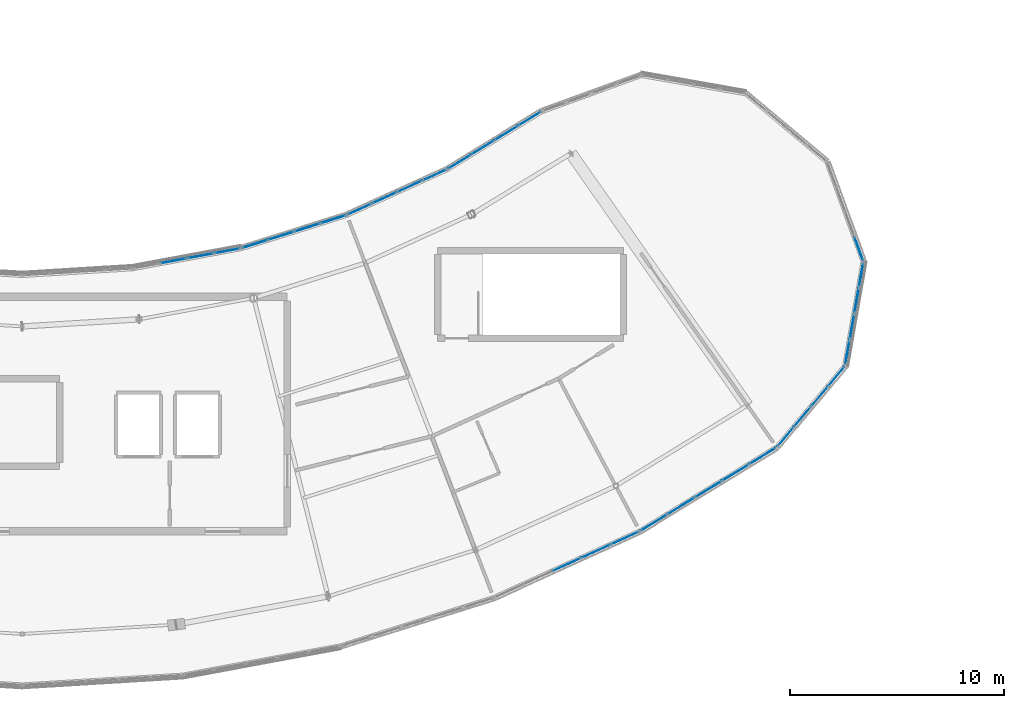
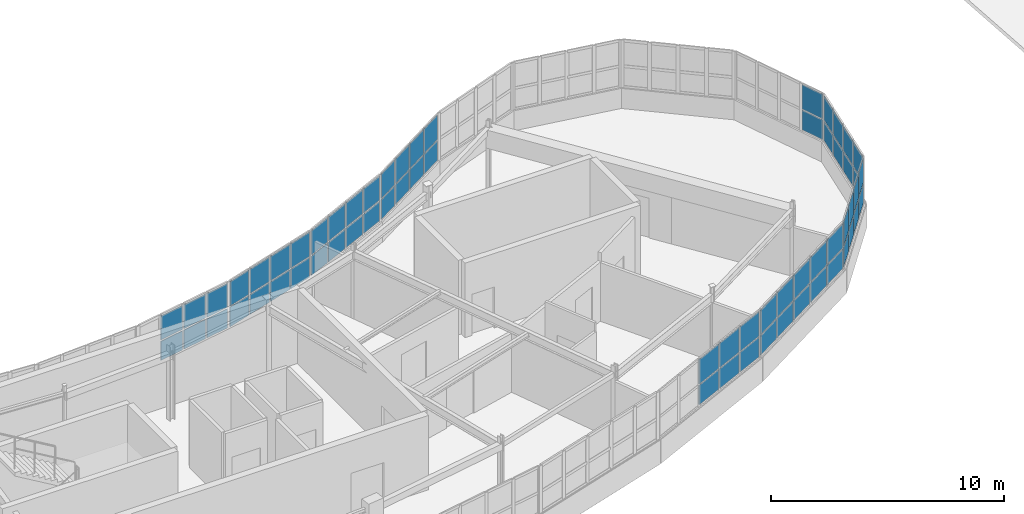
# One storey, part 49 of 79: 64 plates, 9 elements without a shape of their own.
"""IFC4 building model written with IfcOpenShell, lengths in metres."""

from ifc_helpers import new_model, si_unit, direction, frame, origin, origin_2d, place, context, subcontext, project, spatial, rectangle, extrude, material, layer, layer_set, type_object, element, aggregate, save


model = new_model("IFC4")

# Units and contexts
model_context = context("Model", 3, precision=1e-05, world=origin(), true_north=direction((0.0, 1.0)))
body_context = subcontext(model_context, "Body", "Model", "MODEL_VIEW")
ifc_project = project(units=[si_unit("LENGTHUNIT", "METRE"), si_unit("AREAUNIT", "SQUARE_METRE"), si_unit("VOLUMEUNIT", "CUBIC_METRE"), si_unit("PLANEANGLEUNIT", "RADIAN"), si_unit("MASSUNIT", "GRAM", prefix="KILO")], contexts=[model_context])

# Site, building, storey
site_placement = place(None, origin())
site = spatial("IfcSite", under=ifc_project, at=site_placement, CompositionType="ELEMENT")
building_placement = place(site_placement, origin())
building = spatial("IfcBuilding", under=site, at=building_placement, Name="Tarnwether General Hospital", CompositionType="ELEMENT")
storey_placement = place(building_placement, frame((0.0, 0.0, 18.300048828125)))
storey = spatial("IfcBuildingStorey", under=building, at=storey_placement, Name="L04", CompositionType="ELEMENT", Elevation=18.300048828125)

# Curtain wall, plates
ifc_material_1 = material(Name="Anodised aluminium", Category="aluminium")
ifc_layer_1 = layer(ifc_material_1, 0.159912109375)
ifc_layer_set_1 = layer_set([ifc_layer_1], Name="Anodised aluminium")
curtain_wall_type_1 = type_object("IfcCurtainWallType", Name="CW-09", PredefinedType="NOTDEFINED", material=ifc_layer_set_1)
curtain_wall_1_placement = place(storey_placement, origin())
curtain_wall_1 = element("IfcCurtainWall", 1, at=curtain_wall_1_placement, inside=storey, type_object=curtain_wall_type_1, Name="Curtain Wall CWG-L04-1209_86-0194", PredefinedType="NOTDEFINED")
ifc_material_2 = material(Name="Double glazed low-E glass", Category="glass")
ifc_layer_2 = layer(ifc_material_2, 0.028076171875)
ifc_layer_set_2 = layer_set([ifc_layer_2], Name="Double glazed low-E glass")
plate_type_1 = type_object("IfcPlateType", Name="PT-CWP1", PredefinedType="CURTAIN_PANEL", material=ifc_layer_set_2)
plate_1_placement = place(storey_placement, frame((120.220947265625, 8.2919921875, 1.10986328125), z_axis=(0.0, 0.0, 1.0), x_axis=(-0.909960793886, -0.414694289316, 0.0)))
plate_1 = element("IfcPlate", 2, at=plate_1_placement, type_object=plate_type_1, Name="CW-09 panel 1.1", PredefinedType="CURTAIN_PANEL", context=body_context, shape_type="SweptSolid", body=[
    extrude(rectangle(XDim=1.414306640625, YDim=0.028076171875, at=origin_2d()), origin(), (0.0, 0.0, 1.0), 1.030517578125),
])
plate_2_placement = place(storey_placement, frame((120.220947265625, 8.2919921875, 2.2001953125), z_axis=(0.0, 0.0, 1.0), x_axis=(-0.909960793886, -0.414694289316, 0.0)))
plate_2 = element("IfcPlate", 3, at=plate_2_placement, type_object=plate_type_1, Name="CW-09 panel 1.2", PredefinedType="CURTAIN_PANEL", context=body_context, shape_type="SweptSolid", body=[
    extrude(rectangle(XDim=1.414306640625, YDim=0.028076171875, at=origin_2d()), origin(), (0.0, 0.0, 1.0), 1.279541015625),
])
plate_3_placement = place(storey_placement, frame((118.86572265625, 7.67431640625, 1.10986328125), z_axis=(0.0, 0.0, 1.0), x_axis=(-0.909960793886, -0.414694289316, 0.0)))
plate_3 = element("IfcPlate", 4, at=plate_3_placement, type_object=plate_type_1, Name="CW-09 panel 2.1", PredefinedType="CURTAIN_PANEL", context=body_context, shape_type="SweptSolid", body=[
    extrude(rectangle(XDim=1.4443359375, YDim=0.028076171875, at=origin_2d()), origin(), (0.0, 0.0, 1.0), 1.030517578125),
])
plate_4_placement = place(storey_placement, frame((118.86572265625, 7.67431640625, 2.2001953125), z_axis=(0.0, 0.0, 1.0), x_axis=(-0.909960793886, -0.414694289316, 0.0)))
plate_4 = element("IfcPlate", 5, at=plate_4_placement, type_object=plate_type_1, Name="CW-09 panel 2.2", PredefinedType="CURTAIN_PANEL", context=body_context, shape_type="SweptSolid", body=[
    extrude(rectangle(XDim=1.4443359375, YDim=0.028076171875, at=origin_2d()), origin(), (0.0, 0.0, 1.0), 1.279541015625),
])
plate_5_placement = place(storey_placement, frame((117.4970703125, 7.050537109375, 1.10986328125), z_axis=(0.0, 0.0, 1.0), x_axis=(-0.909960793886, -0.414694289316, 0.0)))
plate_5 = element("IfcPlate", 6, at=plate_5_placement, type_object=plate_type_1, Name="CW-09 panel 3.1", PredefinedType="CURTAIN_PANEL", context=body_context, shape_type="SweptSolid", body=[
    extrude(rectangle(XDim=1.4443359375, YDim=0.028076171875, at=origin_2d()), origin(), (0.0, 0.0, 1.0), 1.030517578125),
])
plate_6_placement = place(storey_placement, frame((117.4970703125, 7.050537109375, 2.2001953125), z_axis=(0.0, 0.0, 1.0), x_axis=(-0.909960793886, -0.414694289316, 0.0)))
plate_6 = element("IfcPlate", 7, at=plate_6_placement, type_object=plate_type_1, Name="CW-09 panel 3.2", PredefinedType="CURTAIN_PANEL", context=body_context, shape_type="SweptSolid", body=[
    extrude(rectangle(XDim=1.4443359375, YDim=0.028076171875, at=origin_2d()), origin(), (0.0, 0.0, 1.0), 1.279541015625),
])
aggregate(curtain_wall_1, [plate_1, plate_2, plate_3, plate_4, plate_5, plate_6])

ifc_material_3 = material(Name="Anodised aluminium", Category="aluminium")
ifc_layer_3 = layer(ifc_material_3, 0.159912109375)
ifc_layer_set_3 = layer_set([ifc_layer_3], Name="Anodised aluminium")
curtain_wall_type_2 = type_object("IfcCurtainWallType", Name="CW-03", PredefinedType="NOTDEFINED", material=ifc_layer_set_3)
curtain_wall_2_placement = place(storey_placement, origin())
curtain_wall_2 = element("IfcCurtainWall", 8, at=curtain_wall_2_placement, inside=storey, type_object=curtain_wall_type_2, Name="Curtain Wall CWG-L04-1305_163-0196", PredefinedType="NOTDEFINED")
plate_7_placement = place(storey_placement, frame((130.1171875, 15.858642578125, 1.114990234375), z_axis=(0.0, 0.0, 1.0), x_axis=(-0.64285227611, -0.765990176896, 0.0)))
plate_7 = element("IfcPlate", 9, at=plate_7_placement, type_object=plate_type_1, Name="CW-03 panel 1.1", PredefinedType="CURTAIN_PANEL", context=body_context, shape_type="SweptSolid", body=[
    extrude(rectangle(XDim=1.14501953125, YDim=0.028076171875, at=origin_2d()), origin(), (0.0, 0.0, 1.0), 1.02294921875),
])
plate_8_placement = place(storey_placement, frame((130.1171875, 15.858642578125, 2.202880859375), z_axis=(0.0, 0.0, 1.0), x_axis=(-0.64285227611, -0.765990176896, 0.0)))
plate_8 = element("IfcPlate", 10, at=plate_8_placement, type_object=plate_type_1, Name="CW-03 panel 1.2", PredefinedType="CURTAIN_PANEL", context=body_context, shape_type="SweptSolid", body=[
    extrude(rectangle(XDim=1.14501953125, YDim=0.028076171875, at=origin_2d()), origin(), (0.0, 0.0, 1.0), 1.27197265625),
])
plate_9_placement = place(storey_placement, frame((129.328857421875, 14.91943359375, 1.114990234375), z_axis=(0.0, 0.0, 1.0), x_axis=(-0.64285227611, -0.765990176896, 0.0)))
plate_9 = element("IfcPlate", 11, at=plate_9_placement, type_object=plate_type_1, Name="CW-03 panel 2.1", PredefinedType="CURTAIN_PANEL", context=body_context, shape_type="SweptSolid", body=[
    extrude(rectangle(XDim=1.177490234375, YDim=0.028076171875, at=origin_2d()), origin(), (0.0, 0.0, 1.0), 1.02294921875),
])
plate_10_placement = place(storey_placement, frame((129.328857421875, 14.91943359375, 2.202880859375), z_axis=(0.0, 0.0, 1.0), x_axis=(-0.64285227611, -0.765990176896, 0.0)))
plate_10 = element("IfcPlate", 12, at=plate_10_placement, type_object=plate_type_1, Name="CW-03 panel 2.2", PredefinedType="CURTAIN_PANEL", context=body_context, shape_type="SweptSolid", body=[
    extrude(rectangle(XDim=1.177490234375, YDim=0.028076171875, at=origin_2d()), origin(), (0.0, 0.0, 1.0), 1.27197265625),
])
plate_11_placement = place(storey_placement, frame((128.530029296875, 13.967529296875, 1.114990234375), z_axis=(0.0, 0.0, 1.0), x_axis=(-0.64285227611, -0.765990176896, 0.0)))
plate_11 = element("IfcPlate", 13, at=plate_11_placement, type_object=plate_type_1, Name="CW-03 panel 3.1", PredefinedType="CURTAIN_PANEL", context=body_context, shape_type="SweptSolid", body=[
    extrude(rectangle(XDim=1.177490234375, YDim=0.028076171875, at=origin_2d()), origin(), (0.0, 0.0, 1.0), 1.02294921875),
])
plate_12_placement = place(storey_placement, frame((128.530029296875, 13.967529296875, 2.202880859375), z_axis=(0.0, 0.0, 1.0), x_axis=(-0.64285227611, -0.765990176896, 0.0)))
plate_12 = element("IfcPlate", 14, at=plate_12_placement, type_object=plate_type_1, Name="CW-03 panel 3.2", PredefinedType="CURTAIN_PANEL", context=body_context, shape_type="SweptSolid", body=[
    extrude(rectangle(XDim=1.177490234375, YDim=0.028076171875, at=origin_2d()), origin(), (0.0, 0.0, 1.0), 1.27197265625),
])
plate_13_placement = place(storey_placement, frame((127.741943359375, 13.0283203125, 1.114990234375), z_axis=(0.0, 0.0, 1.0), x_axis=(-0.64285227611, -0.765990176896, 0.0)))
plate_13 = element("IfcPlate", 15, at=plate_13_placement, type_object=plate_type_1, Name="CW-03 panel 4.1", PredefinedType="CURTAIN_PANEL", context=body_context, shape_type="SweptSolid", body=[
    extrude(rectangle(XDim=1.14501953125, YDim=0.028076171875, at=origin_2d()), origin(), (0.0, 0.0, 1.0), 1.02294921875),
])
plate_14_placement = place(storey_placement, frame((127.741943359375, 13.0283203125, 2.202880859375), z_axis=(0.0, 0.0, 1.0), x_axis=(-0.64285227611, -0.765990176896, 0.0)))
plate_14 = element("IfcPlate", 16, at=plate_14_placement, type_object=plate_type_1, Name="CW-03 panel 4.2", PredefinedType="CURTAIN_PANEL", context=body_context, shape_type="SweptSolid", body=[
    extrude(rectangle(XDim=1.14501953125, YDim=0.028076171875, at=origin_2d()), origin(), (0.0, 0.0, 1.0), 1.27197265625),
])
aggregate(curtain_wall_2, [plate_7, plate_8, plate_9, plate_10, plate_11, plate_12, plate_13, plate_14])

curtain_wall_3_placement = place(storey_placement, origin())
curtain_wall_3 = element("IfcCurtainWall", 17, at=curtain_wall_3_placement, inside=storey, type_object=curtain_wall_type_2, Name="Curtain Wall CWG-L04-1314_212-0197", PredefinedType="NOTDEFINED")
plate_15_placement = place(storey_placement, frame((131.27783203125, 20.609619140625, 1.1298828125), z_axis=(0.0, 0.0, 1.0), x_axis=(-0.173463890135, -0.984840230098, 0.0)))
plate_15 = element("IfcPlate", 18, at=plate_15_placement, type_object=plate_type_1, Name="CW-03 panel 1.1", PredefinedType="CURTAIN_PANEL", context=body_context, shape_type="SweptSolid", body=[
    extrude(rectangle(XDim=1.122314453125, YDim=0.028076171875, at=origin_2d()), origin(), (0.0, 0.0, 1.0), 1.00048828125),
])
plate_16_placement = place(storey_placement, frame((131.27783203125, 20.609619140625, 2.21044921875), z_axis=(0.0, 0.0, 1.0), x_axis=(-0.173463890135, -0.984840230098, 0.0)))
plate_16 = element("IfcPlate", 19, at=plate_16_placement, type_object=plate_type_1, Name="CW-03 panel 1.2", PredefinedType="CURTAIN_PANEL", context=body_context, shape_type="SweptSolid", body=[
    extrude(rectangle(XDim=1.122314453125, YDim=0.028076171875, at=origin_2d()), origin(), (0.0, 0.0, 1.0), 1.24951171875),
])
plate_17_placement = place(storey_placement, frame((131.065673828125, 19.40576171875, 1.1298828125), z_axis=(0.0, 0.0, 1.0), x_axis=(-0.173463890135, -0.984840230098, 0.0)))
plate_17 = element("IfcPlate", 20, at=plate_17_placement, type_object=plate_type_1, Name="CW-03 panel 2.1", PredefinedType="CURTAIN_PANEL", context=body_context, shape_type="SweptSolid", body=[
    extrude(rectangle(XDim=1.162353515625, YDim=0.028076171875, at=origin_2d()), origin(), (0.0, 0.0, 1.0), 1.00048828125),
])
plate_18_placement = place(storey_placement, frame((131.065673828125, 19.40576171875, 2.21044921875), z_axis=(0.0, 0.0, 1.0), x_axis=(-0.173463890135, -0.984840230098, 0.0)))
plate_18 = element("IfcPlate", 21, at=plate_18_placement, type_object=plate_type_1, Name="CW-03 panel 2.2", PredefinedType="CURTAIN_PANEL", context=body_context, shape_type="SweptSolid", body=[
    extrude(rectangle(XDim=1.162353515625, YDim=0.028076171875, at=origin_2d()), origin(), (0.0, 0.0, 1.0), 1.24951171875),
])
plate_19_placement = place(storey_placement, frame((130.850341796875, 18.18212890625, 1.1298828125), z_axis=(0.0, 0.0, 1.0), x_axis=(-0.173463890135, -0.984840230098, 0.0)))
plate_19 = element("IfcPlate", 22, at=plate_19_placement, type_object=plate_type_1, Name="CW-03 panel 3.1", PredefinedType="CURTAIN_PANEL", context=body_context, shape_type="SweptSolid", body=[
    extrude(rectangle(XDim=1.162353515625, YDim=0.028076171875, at=origin_2d()), origin(), (0.0, 0.0, 1.0), 1.00048828125),
])
plate_20_placement = place(storey_placement, frame((130.850341796875, 18.18212890625, 2.21044921875), z_axis=(0.0, 0.0, 1.0), x_axis=(-0.173463890135, -0.984840230098, 0.0)))
plate_20 = element("IfcPlate", 23, at=plate_20_placement, type_object=plate_type_1, Name="CW-03 panel 3.2", PredefinedType="CURTAIN_PANEL", context=body_context, shape_type="SweptSolid", body=[
    extrude(rectangle(XDim=1.162353515625, YDim=0.028076171875, at=origin_2d()), origin(), (0.0, 0.0, 1.0), 1.24951171875),
])
plate_21_placement = place(storey_placement, frame((130.63818359375, 16.978515625, 1.1298828125), z_axis=(0.0, 0.0, 1.0), x_axis=(-0.173463890135, -0.984840230098, 0.0)))
plate_21 = element("IfcPlate", 24, at=plate_21_placement, type_object=plate_type_1, Name="CW-03 panel 4.1", PredefinedType="CURTAIN_PANEL", context=body_context, shape_type="SweptSolid", body=[
    extrude(rectangle(XDim=1.122314453125, YDim=0.028076171875, at=origin_2d()), origin(), (0.0, 0.0, 1.0), 1.00048828125),
])
plate_22_placement = place(storey_placement, frame((130.63818359375, 16.978515625, 2.21044921875), z_axis=(0.0, 0.0, 1.0), x_axis=(-0.173463890135, -0.984840230098, 0.0)))
plate_22 = element("IfcPlate", 25, at=plate_22_placement, type_object=plate_type_1, Name="CW-03 panel 4.2", PredefinedType="CURTAIN_PANEL", context=body_context, shape_type="SweptSolid", body=[
    extrude(rectangle(XDim=1.122314453125, YDim=0.028076171875, at=origin_2d()), origin(), (0.0, 0.0, 1.0), 1.24951171875),
])
aggregate(curtain_wall_3, [plate_15, plate_16, plate_17, plate_18, plate_19, plate_20, plate_21, plate_22])

curtain_wall_4_placement = place(storey_placement, origin())
curtain_wall_4 = element("IfcCurtainWall", 26, at=curtain_wall_4_placement, inside=storey, type_object=curtain_wall_type_2, Name="Curtain Wall CWG-L04-1119_256-0202", PredefinedType="NOTDEFINED")
plate_23_placement = place(storey_placement, frame((112.470458984375, 25.908935546875, 1.10986328125), z_axis=(0.0, 0.0, 1.0), x_axis=(0.852631789198, 0.522512231483, 0.0)))
plate_23 = element("IfcPlate", 27, at=plate_23_placement, type_object=plate_type_1, Name="CW-03 panel 1.1", PredefinedType="CURTAIN_PANEL", context=body_context, shape_type="SweptSolid", body=[
    extrude(rectangle(XDim=1.204345703125, YDim=0.028076171875, at=origin_2d()), origin(), (0.0, 0.0, 1.0), 1.030517578125),
])
plate_24_placement = place(storey_placement, frame((112.470458984375, 25.908935546875, 2.2001953125), z_axis=(0.0, 0.0, 1.0), x_axis=(0.852631789198, 0.522512231483, 0.0)))
plate_24 = element("IfcPlate", 28, at=plate_24_placement, type_object=plate_type_1, Name="CW-03 panel 1.2", PredefinedType="CURTAIN_PANEL", context=body_context, shape_type="SweptSolid", body=[
    extrude(rectangle(XDim=1.204345703125, YDim=0.028076171875, at=origin_2d()), origin(), (0.0, 0.0, 1.0), 1.279541015625),
])
plate_25_placement = place(storey_placement, frame((113.561279296875, 26.577392578125, 1.10986328125), z_axis=(0.0, 0.0, 1.0), x_axis=(0.852631789198, 0.522512231483, 0.0)))
plate_25 = element("IfcPlate", 29, at=plate_25_placement, type_object=plate_type_1, Name="CW-03 panel 2.1", PredefinedType="CURTAIN_PANEL", context=body_context, shape_type="SweptSolid", body=[
    extrude(rectangle(XDim=1.234130859375, YDim=0.028076171875, at=origin_2d()), origin(), (0.0, 0.0, 1.0), 1.030517578125),
])
plate_26_placement = place(storey_placement, frame((113.561279296875, 26.577392578125, 2.2001953125), z_axis=(0.0, 0.0, 1.0), x_axis=(0.852631789198, 0.522512231483, 0.0)))
plate_26 = element("IfcPlate", 30, at=plate_26_placement, type_object=plate_type_1, Name="CW-03 panel 2.2", PredefinedType="CURTAIN_PANEL", context=body_context, shape_type="SweptSolid", body=[
    extrude(rectangle(XDim=1.234130859375, YDim=0.028076171875, at=origin_2d()), origin(), (0.0, 0.0, 1.0), 1.279541015625),
])
plate_27_placement = place(storey_placement, frame((114.664794921875, 27.253662109375, 1.10986328125), z_axis=(0.0, 0.0, 1.0), x_axis=(0.852631789198, 0.522512231483, 0.0)))
plate_27 = element("IfcPlate", 31, at=plate_27_placement, type_object=plate_type_1, Name="CW-03 panel 3.1", PredefinedType="CURTAIN_PANEL", context=body_context, shape_type="SweptSolid", body=[
    extrude(rectangle(XDim=1.234130859375, YDim=0.028076171875, at=origin_2d()), origin(), (0.0, 0.0, 1.0), 1.030517578125),
])
plate_28_placement = place(storey_placement, frame((114.664794921875, 27.253662109375, 2.2001953125), z_axis=(0.0, 0.0, 1.0), x_axis=(0.852631789198, 0.522512231483, 0.0)))
plate_28 = element("IfcPlate", 32, at=plate_28_placement, type_object=plate_type_1, Name="CW-03 panel 3.2", PredefinedType="CURTAIN_PANEL", context=body_context, shape_type="SweptSolid", body=[
    extrude(rectangle(XDim=1.234130859375, YDim=0.028076171875, at=origin_2d()), origin(), (0.0, 0.0, 1.0), 1.279541015625),
])
plate_29_placement = place(storey_placement, frame((115.75537109375, 27.922119140625, 1.10986328125), z_axis=(0.0, 0.0, 1.0), x_axis=(0.852631789198, 0.522512231483, 0.0)))
plate_29 = element("IfcPlate", 33, at=plate_29_placement, type_object=plate_type_1, Name="CW-03 panel 4.1", PredefinedType="CURTAIN_PANEL", context=body_context, shape_type="SweptSolid", body=[
    extrude(rectangle(XDim=1.204345703125, YDim=0.028076171875, at=origin_2d()), origin(), (0.0, 0.0, 1.0), 1.030517578125),
])
plate_30_placement = place(storey_placement, frame((115.75537109375, 27.922119140625, 2.2001953125), z_axis=(0.0, 0.0, 1.0), x_axis=(0.852631789198, 0.522512231483, 0.0)))
plate_30 = element("IfcPlate", 34, at=plate_30_placement, type_object=plate_type_1, Name="CW-03 panel 4.2", PredefinedType="CURTAIN_PANEL", context=body_context, shape_type="SweptSolid", body=[
    extrude(rectangle(XDim=1.204345703125, YDim=0.028076171875, at=origin_2d()), origin(), (0.0, 0.0, 1.0), 1.279541015625),
])
aggregate(curtain_wall_4, [plate_23, plate_24, plate_25, plate_26, plate_27, plate_28, plate_29, plate_30])

curtain_wall_5_placement = place(storey_placement, origin())
curtain_wall_5 = element("IfcCurtainWall", 35, at=curtain_wall_5_placement, inside=storey, type_object=curtain_wall_type_2, Name="Curtain Wall CWG-L04-1072_234-0203", PredefinedType="NOTDEFINED")
plate_31_placement = place(storey_placement, frame((107.7998046875, 23.691650390625, 1.1201171875), z_axis=(0.0, 0.0, 1.0), x_axis=(0.90995590549, 0.41470501572, 0.0)))
plate_31 = element("IfcPlate", 36, at=plate_31_placement, type_object=plate_type_1, Name="CW-03 panel 1.1", PredefinedType="CURTAIN_PANEL", context=body_context, shape_type="SweptSolid", body=[
    extrude(rectangle(XDim=1.189208984375, YDim=0.028076171875, at=origin_2d()), origin(), (0.0, 0.0, 1.0), 1.015380859375),
])
plate_32_placement = place(storey_placement, frame((107.7998046875, 23.691650390625, 2.20556640625), z_axis=(0.0, 0.0, 1.0), x_axis=(0.90995590549, 0.41470501572, 0.0)))
plate_32 = element("IfcPlate", 37, at=plate_32_placement, type_object=plate_type_1, Name="CW-03 panel 1.2", PredefinedType="CURTAIN_PANEL", context=body_context, shape_type="SweptSolid", body=[
    extrude(rectangle(XDim=1.189208984375, YDim=0.028076171875, at=origin_2d()), origin(), (0.0, 0.0, 1.0), 1.264404296875),
])
plate_33_placement = place(storey_placement, frame((108.961669921875, 24.22119140625, 1.1201171875), z_axis=(0.0, 0.0, 1.0), x_axis=(0.90995590549, 0.41470501572, 0.0)))
plate_33 = element("IfcPlate", 38, at=plate_33_placement, type_object=plate_type_1, Name="CW-03 panel 2.1", PredefinedType="CURTAIN_PANEL", context=body_context, shape_type="SweptSolid", body=[
    extrude(rectangle(XDim=1.224365234375, YDim=0.028076171875, at=origin_2d()), origin(), (0.0, 0.0, 1.0), 1.015380859375),
])
plate_34_placement = place(storey_placement, frame((108.961669921875, 24.22119140625, 2.20556640625), z_axis=(0.0, 0.0, 1.0), x_axis=(0.90995590549, 0.41470501572, 0.0)))
plate_34 = element("IfcPlate", 39, at=plate_34_placement, type_object=plate_type_1, Name="CW-03 panel 2.2", PredefinedType="CURTAIN_PANEL", context=body_context, shape_type="SweptSolid", body=[
    extrude(rectangle(XDim=1.224365234375, YDim=0.028076171875, at=origin_2d()), origin(), (0.0, 0.0, 1.0), 1.264404296875),
])
plate_35_placement = place(storey_placement, frame((110.139404296875, 24.7578125, 1.1201171875), z_axis=(0.0, 0.0, 1.0), x_axis=(0.90995590549, 0.41470501572, 0.0)))
plate_35 = element("IfcPlate", 40, at=plate_35_placement, type_object=plate_type_1, Name="CW-03 panel 3.1", PredefinedType="CURTAIN_PANEL", context=body_context, shape_type="SweptSolid", body=[
    extrude(rectangle(XDim=1.224365234375, YDim=0.028076171875, at=origin_2d()), origin(), (0.0, 0.0, 1.0), 1.015380859375),
])
plate_36_placement = place(storey_placement, frame((110.139404296875, 24.7578125, 2.20556640625), z_axis=(0.0, 0.0, 1.0), x_axis=(0.90995590549, 0.41470501572, 0.0)))
plate_36 = element("IfcPlate", 41, at=plate_36_placement, type_object=plate_type_1, Name="CW-03 panel 3.2", PredefinedType="CURTAIN_PANEL", context=body_context, shape_type="SweptSolid", body=[
    extrude(rectangle(XDim=1.224365234375, YDim=0.028076171875, at=origin_2d()), origin(), (0.0, 0.0, 1.0), 1.264404296875),
])
plate_37_placement = place(storey_placement, frame((111.30126953125, 25.287353515625, 1.1201171875), z_axis=(0.0, 0.0, 1.0), x_axis=(0.90995590549, 0.41470501572, 0.0)))
plate_37 = element("IfcPlate", 42, at=plate_37_placement, type_object=plate_type_1, Name="CW-03 panel 4.1", PredefinedType="CURTAIN_PANEL", context=body_context, shape_type="SweptSolid", body=[
    extrude(rectangle(XDim=1.189208984375, YDim=0.028076171875, at=origin_2d()), origin(), (0.0, 0.0, 1.0), 1.015380859375),
])
plate_38_placement = place(storey_placement, frame((111.30126953125, 25.287353515625, 2.20556640625), z_axis=(0.0, 0.0, 1.0), x_axis=(0.90995590549, 0.41470501572, 0.0)))
plate_38 = element("IfcPlate", 43, at=plate_38_placement, type_object=plate_type_1, Name="CW-03 panel 4.2", PredefinedType="CURTAIN_PANEL", context=body_context, shape_type="SweptSolid", body=[
    extrude(rectangle(XDim=1.189208984375, YDim=0.028076171875, at=origin_2d()), origin(), (0.0, 0.0, 1.0), 1.264404296875),
])
aggregate(curtain_wall_5, [plate_31, plate_32, plate_33, plate_34, plate_35, plate_36, plate_37, plate_38])

curtain_wall_6_placement = place(storey_placement, origin())
curtain_wall_6 = element("IfcCurtainWall", 44, at=curtain_wall_6_placement, inside=storey, type_object=curtain_wall_type_2, Name="Curtain Wall CWG-L04-972_209-0205", PredefinedType="NOTDEFINED")
plate_39_placement = place(storey_placement, frame((99.07568359375, 21.26953125, 1.1298828125), z_axis=(0.0, 0.0, 1.0), x_axis=(0.983267910924, 0.182165351666, 0.0)))
plate_39 = element("IfcPlate", 45, at=plate_39_placement, type_object=plate_type_1, Name="CW-03 panel 2.1", PredefinedType="CURTAIN_PANEL", context=body_context, shape_type="SweptSolid", body=[
    extrude(rectangle(XDim=1.214111328125, YDim=0.028076171875, at=origin_2d()), origin(), (0.0, 0.0, 1.0), 1.00048828125),
])
plate_40_placement = place(storey_placement, frame((99.07568359375, 21.26953125, 2.21044921875), z_axis=(0.0, 0.0, 1.0), x_axis=(0.983267910924, 0.182165351666, 0.0)))
plate_40 = element("IfcPlate", 46, at=plate_40_placement, type_object=plate_type_1, Name="CW-03 panel 2.2", PredefinedType="CURTAIN_PANEL", context=body_context, shape_type="SweptSolid", body=[
    extrude(rectangle(XDim=1.214111328125, YDim=0.028076171875, at=origin_2d()), origin(), (0.0, 0.0, 1.0), 1.24951171875),
])
plate_41_placement = place(storey_placement, frame((100.34814453125, 21.50537109375, 1.1298828125), z_axis=(0.0, 0.0, 1.0), x_axis=(0.983267910924, 0.182165351666, 0.0)))
plate_41 = element("IfcPlate", 47, at=plate_41_placement, type_object=plate_type_1, Name="CW-03 panel 3.1", PredefinedType="CURTAIN_PANEL", context=body_context, shape_type="SweptSolid", body=[
    extrude(rectangle(XDim=1.214111328125, YDim=0.028076171875, at=origin_2d()), origin(), (0.0, 0.0, 1.0), 1.00048828125),
])
plate_42_placement = place(storey_placement, frame((100.34814453125, 21.50537109375, 2.21044921875), z_axis=(0.0, 0.0, 1.0), x_axis=(0.983267910924, 0.182165351666, 0.0)))
plate_42 = element("IfcPlate", 48, at=plate_42_placement, type_object=plate_type_1, Name="CW-03 panel 3.2", PredefinedType="CURTAIN_PANEL", context=body_context, shape_type="SweptSolid", body=[
    extrude(rectangle(XDim=1.214111328125, YDim=0.028076171875, at=origin_2d()), origin(), (0.0, 0.0, 1.0), 1.24951171875),
])
plate_43_placement = place(storey_placement, frame((101.60107421875, 21.737548828125, 1.1298828125), z_axis=(0.0, 0.0, 1.0), x_axis=(0.983267910924, 0.182165351666, 0.0)))
plate_43 = element("IfcPlate", 49, at=plate_43_placement, type_object=plate_type_1, Name="CW-03 panel 4.1", PredefinedType="CURTAIN_PANEL", context=body_context, shape_type="SweptSolid", body=[
    extrude(rectangle(XDim=1.174072265625, YDim=0.028076171875, at=origin_2d()), origin(), (0.0, 0.0, 1.0), 1.00048828125),
])
plate_44_placement = place(storey_placement, frame((101.60107421875, 21.737548828125, 2.21044921875), z_axis=(0.0, 0.0, 1.0), x_axis=(0.983267910924, 0.182165351666, 0.0)))
plate_44 = element("IfcPlate", 50, at=plate_44_placement, type_object=plate_type_1, Name="CW-03 panel 4.2", PredefinedType="CURTAIN_PANEL", context=body_context, shape_type="SweptSolid", body=[
    extrude(rectangle(XDim=1.174072265625, YDim=0.028076171875, at=origin_2d()), origin(), (0.0, 0.0, 1.0), 1.24951171875),
])
aggregate(curtain_wall_6, [plate_39, plate_40, plate_41, plate_42, plate_43, plate_44])

curtain_wall_7_placement = place(storey_placement, origin())
curtain_wall_7 = element("IfcCurtainWall", 51, at=curtain_wall_7_placement, inside=storey, type_object=curtain_wall_type_1, Name="Curtain Wall CWG-L04-1273_125-0195", PredefinedType="NOTDEFINED")
ifc_material_4 = material(Name="Double glazed low-E glass", Category="glass")
ifc_layer_4 = layer(ifc_material_4, 0.035888671875)
ifc_layer_set_4 = layer_set([ifc_layer_4], Name="Double glazed low-E glass")
plate_type_2 = type_object("IfcPlateType", Name="PT-CWP2", PredefinedType="CURTAIN_PANEL", material=ifc_layer_set_4)
plate_45_placement = place(storey_placement, frame((126.67578125, 12.137939453125, 1.1201171875), z_axis=(0.0, 0.0, 1.0), x_axis=(-0.852633734977, -0.522509056361, 0.0)))
plate_45 = element("IfcPlate", 52, at=plate_45_placement, type_object=plate_type_2, Name="CW-09 panel 1.1", PredefinedType="CURTAIN_PANEL", context=body_context, shape_type="SweptSolid", body=[
    extrude(rectangle(XDim=1.399169921875, YDim=0.035888671875, at=origin_2d()), origin(), (0.0, 0.0, 1.0), 1.015380859375),
])
plate_46_placement = place(storey_placement, frame((126.67578125, 12.137939453125, 2.20556640625), z_axis=(0.0, 0.0, 1.0), x_axis=(-0.852633734977, -0.522509056361, 0.0)))
plate_46 = element("IfcPlate", 53, at=plate_46_placement, type_object=plate_type_2, Name="CW-09 panel 1.2", PredefinedType="CURTAIN_PANEL", context=body_context, shape_type="SweptSolid", body=[
    extrude(rectangle(XDim=1.399169921875, YDim=0.035888671875, at=origin_2d()), origin(), (0.0, 0.0, 1.0), 1.264404296875),
])
plate_47_placement = place(storey_placement, frame((125.408203125, 11.361083984375, 1.1201171875), z_axis=(0.0, 0.0, 1.0), x_axis=(-0.852633734977, -0.522509056361, 0.0)))
plate_47 = element("IfcPlate", 54, at=plate_47_placement, type_object=plate_type_2, Name="CW-09 panel 2.1", PredefinedType="CURTAIN_PANEL", context=body_context, shape_type="SweptSolid", body=[
    extrude(rectangle(XDim=1.434326171875, YDim=0.035888671875, at=origin_2d()), origin(), (0.0, 0.0, 1.0), 1.015380859375),
])
plate_48_placement = place(storey_placement, frame((125.408203125, 11.361083984375, 2.20556640625), z_axis=(0.0, 0.0, 1.0), x_axis=(-0.852633734977, -0.522509056361, 0.0)))
plate_48 = element("IfcPlate", 55, at=plate_48_placement, type_object=plate_type_2, Name="CW-09 panel 2.2", PredefinedType="CURTAIN_PANEL", context=body_context, shape_type="SweptSolid", body=[
    extrude(rectangle(XDim=1.434326171875, YDim=0.035888671875, at=origin_2d()), origin(), (0.0, 0.0, 1.0), 1.264404296875),
])
plate_49_placement = place(storey_placement, frame((124.12548828125, 10.574951171875, 1.1201171875), z_axis=(0.0, 0.0, 1.0), x_axis=(-0.852633734977, -0.522509056361, 0.0)))
plate_49 = element("IfcPlate", 56, at=plate_49_placement, type_object=plate_type_2, Name="CW-09 panel 3.1", PredefinedType="CURTAIN_PANEL", context=body_context, shape_type="SweptSolid", body=[
    extrude(rectangle(XDim=1.434326171875, YDim=0.035888671875, at=origin_2d()), origin(), (0.0, 0.0, 1.0), 1.015380859375),
])
plate_50_placement = place(storey_placement, frame((124.12548828125, 10.574951171875, 2.20556640625), z_axis=(0.0, 0.0, 1.0), x_axis=(-0.852633734977, -0.522509056361, 0.0)))
plate_50 = element("IfcPlate", 57, at=plate_50_placement, type_object=plate_type_2, Name="CW-09 panel 3.2", PredefinedType="CURTAIN_PANEL", context=body_context, shape_type="SweptSolid", body=[
    extrude(rectangle(XDim=1.434326171875, YDim=0.035888671875, at=origin_2d()), origin(), (0.0, 0.0, 1.0), 1.264404296875),
])
plate_51_placement = place(storey_placement, frame((122.843017578125, 9.7890625, 1.1201171875), z_axis=(0.0, 0.0, 1.0), x_axis=(-0.852633734977, -0.522509056361, 0.0)))
plate_51 = element("IfcPlate", 58, at=plate_51_placement, type_object=plate_type_2, Name="CW-09 panel 4.1", PredefinedType="CURTAIN_PANEL", context=body_context, shape_type="SweptSolid", body=[
    extrude(rectangle(XDim=1.434326171875, YDim=0.035888671875, at=origin_2d()), origin(), (0.0, 0.0, 1.0), 1.015380859375),
])
plate_52_placement = place(storey_placement, frame((122.843017578125, 9.7890625, 2.20556640625), z_axis=(0.0, 0.0, 1.0), x_axis=(-0.852633734977, -0.522509056361, 0.0)))
plate_52 = element("IfcPlate", 59, at=plate_52_placement, type_object=plate_type_2, Name="CW-09 panel 4.2", PredefinedType="CURTAIN_PANEL", context=body_context, shape_type="SweptSolid", body=[
    extrude(rectangle(XDim=1.434326171875, YDim=0.035888671875, at=origin_2d()), origin(), (0.0, 0.0, 1.0), 1.264404296875),
])
plate_53_placement = place(storey_placement, frame((121.5751953125, 9.01220703125, 1.1201171875), z_axis=(0.0, 0.0, 1.0), x_axis=(-0.852633734977, -0.522509056361, 0.0)))
plate_53 = element("IfcPlate", 60, at=plate_53_placement, type_object=plate_type_2, Name="CW-09 panel 5.1", PredefinedType="CURTAIN_PANEL", context=body_context, shape_type="SweptSolid", body=[
    extrude(rectangle(XDim=1.399169921875, YDim=0.035888671875, at=origin_2d()), origin(), (0.0, 0.0, 1.0), 1.015380859375),
])
plate_54_placement = place(storey_placement, frame((121.5751953125, 9.01220703125, 2.20556640625), z_axis=(0.0, 0.0, 1.0), x_axis=(-0.852633734977, -0.522509056361, 0.0)))
plate_54 = element("IfcPlate", 61, at=plate_54_placement, type_object=plate_type_2, Name="CW-09 panel 5.2", PredefinedType="CURTAIN_PANEL", context=body_context, shape_type="SweptSolid", body=[
    extrude(rectangle(XDim=1.399169921875, YDim=0.035888671875, at=origin_2d()), origin(), (0.0, 0.0, 1.0), 1.264404296875),
])
aggregate(curtain_wall_7, [plate_45, plate_46, plate_47, plate_48, plate_49, plate_50, plate_51, plate_52, plate_53, plate_54])

curtain_wall_8_placement = place(storey_placement, origin())
curtain_wall_8 = element("IfcCurtainWall", 62, at=curtain_wall_8_placement, inside=storey, type_object=curtain_wall_type_2, Name="Curtain Wall CWG-L04-1297_259-0198", PredefinedType="NOTDEFINED")
plate_55_placement = place(storey_placement, frame((131.17138671875, 21.838623046875, 1.10986328125), z_axis=(0.0, 0.0, 1.0), x_axis=(0.341953136469, -0.939717006582, 0.0)))
plate_55 = element("IfcPlate", 63, at=plate_55_placement, type_object=plate_type_2, Name="CW-03 panel 4.1", PredefinedType="CURTAIN_PANEL", context=body_context, shape_type="SweptSolid", body=[
    extrude(rectangle(XDim=1.152099609375, YDim=0.035888671875, at=origin_2d()), origin(), (0.0, 0.0, 1.0), 1.030517578125),
])
plate_56_placement = place(storey_placement, frame((131.17138671875, 21.838623046875, 2.2001953125), z_axis=(0.0, 0.0, 1.0), x_axis=(0.341953136469, -0.939717006582, 0.0)))
plate_56 = element("IfcPlate", 64, at=plate_56_placement, type_object=plate_type_2, Name="CW-03 panel 4.2", PredefinedType="CURTAIN_PANEL", context=body_context, shape_type="SweptSolid", body=[
    extrude(rectangle(XDim=1.152099609375, YDim=0.035888671875, at=origin_2d()), origin(), (0.0, 0.0, 1.0), 1.279541015625),
])
aggregate(curtain_wall_8, [plate_55, plate_56])

curtain_wall_9_placement = place(storey_placement, origin())
curtain_wall_9 = element("IfcCurtainWall", 65, at=curtain_wall_9_placement, inside=storey, type_object=curtain_wall_type_2, Name="Curtain Wall CWG-L04-1023_219-0204", PredefinedType="NOTDEFINED")
plate_57_placement = place(storey_placement, frame((102.8896484375, 22.05859375, 1.114990234375), z_axis=(0.0, 0.0, 1.0), x_axis=(0.953713927508, 0.30071538783, 0.0)))
plate_57 = element("IfcPlate", 66, at=plate_57_placement, type_object=plate_type_2, Name="CW-03 panel 1.1", PredefinedType="CURTAIN_PANEL", context=body_context, shape_type="SweptSolid", body=[
    extrude(rectangle(XDim=1.197021484375, YDim=0.035888671875, at=origin_2d()), origin(), (0.0, 0.0, 1.0), 1.02294921875),
])
plate_58_placement = place(storey_placement, frame((102.8896484375, 22.05859375, 2.202880859375), z_axis=(0.0, 0.0, 1.0), x_axis=(0.953713927508, 0.30071538783, 0.0)))
plate_58 = element("IfcPlate", 67, at=plate_58_placement, type_object=plate_type_2, Name="CW-03 panel 1.2", PredefinedType="CURTAIN_PANEL", context=body_context, shape_type="SweptSolid", body=[
    extrude(rectangle(XDim=1.197021484375, YDim=0.035888671875, at=origin_2d()), origin(), (0.0, 0.0, 1.0), 1.27197265625),
])
plate_59_placement = place(storey_placement, frame((104.108642578125, 22.44287109375, 1.114990234375), z_axis=(0.0, 0.0, 1.0), x_axis=(0.953713927508, 0.30071538783, 0.0)))
plate_59 = element("IfcPlate", 68, at=plate_59_placement, type_object=plate_type_2, Name="CW-03 panel 2.1", PredefinedType="CURTAIN_PANEL", context=body_context, shape_type="SweptSolid", body=[
    extrude(rectangle(XDim=1.2294921875, YDim=0.035888671875, at=origin_2d()), origin(), (0.0, 0.0, 1.0), 1.02294921875),
])
plate_60_placement = place(storey_placement, frame((104.108642578125, 22.44287109375, 2.202880859375), z_axis=(0.0, 0.0, 1.0), x_axis=(0.953713927508, 0.30071538783, 0.0)))
plate_60 = element("IfcPlate", 69, at=plate_60_placement, type_object=plate_type_2, Name="CW-03 panel 2.2", PredefinedType="CURTAIN_PANEL", context=body_context, shape_type="SweptSolid", body=[
    extrude(rectangle(XDim=1.2294921875, YDim=0.035888671875, at=origin_2d()), origin(), (0.0, 0.0, 1.0), 1.27197265625),
])
plate_61_placement = place(storey_placement, frame((105.34326171875, 22.83203125, 1.114990234375), z_axis=(0.0, 0.0, 1.0), x_axis=(0.953713927508, 0.30071538783, 0.0)))
plate_61 = element("IfcPlate", 70, at=plate_61_placement, type_object=plate_type_2, Name="CW-03 panel 3.1", PredefinedType="CURTAIN_PANEL", context=body_context, shape_type="SweptSolid", body=[
    extrude(rectangle(XDim=1.2294921875, YDim=0.035888671875, at=origin_2d()), origin(), (0.0, 0.0, 1.0), 1.02294921875),
])
plate_62_placement = place(storey_placement, frame((105.34326171875, 22.83203125, 2.202880859375), z_axis=(0.0, 0.0, 1.0), x_axis=(0.953713927508, 0.30071538783, 0.0)))
plate_62 = element("IfcPlate", 71, at=plate_62_placement, type_object=plate_type_2, Name="CW-03 panel 3.2", PredefinedType="CURTAIN_PANEL", context=body_context, shape_type="SweptSolid", body=[
    extrude(rectangle(XDim=1.2294921875, YDim=0.035888671875, at=origin_2d()), origin(), (0.0, 0.0, 1.0), 1.27197265625),
])
plate_63_placement = place(storey_placement, frame((106.562255859375, 23.216552734375, 1.114990234375), z_axis=(0.0, 0.0, 1.0), x_axis=(0.953713927508, 0.30071538783, 0.0)))
plate_63 = element("IfcPlate", 72, at=plate_63_placement, type_object=plate_type_2, Name="CW-03 panel 4.1", PredefinedType="CURTAIN_PANEL", context=body_context, shape_type="SweptSolid", body=[
    extrude(rectangle(XDim=1.197021484375, YDim=0.035888671875, at=origin_2d()), origin(), (0.0, 0.0, 1.0), 1.02294921875),
])
plate_64_placement = place(storey_placement, frame((106.562255859375, 23.216552734375, 2.202880859375), z_axis=(0.0, 0.0, 1.0), x_axis=(0.953713927508, 0.30071538783, 0.0)))
plate_64 = element("IfcPlate", 73, at=plate_64_placement, type_object=plate_type_2, Name="CW-03 panel 4.2", PredefinedType="CURTAIN_PANEL", context=body_context, shape_type="SweptSolid", body=[
    extrude(rectangle(XDim=1.197021484375, YDim=0.035888671875, at=origin_2d()), origin(), (0.0, 0.0, 1.0), 1.27197265625),
])
aggregate(curtain_wall_9, [plate_57, plate_58, plate_59, plate_60, plate_61, plate_62, plate_63, plate_64])

save(model, "model.ifc")
